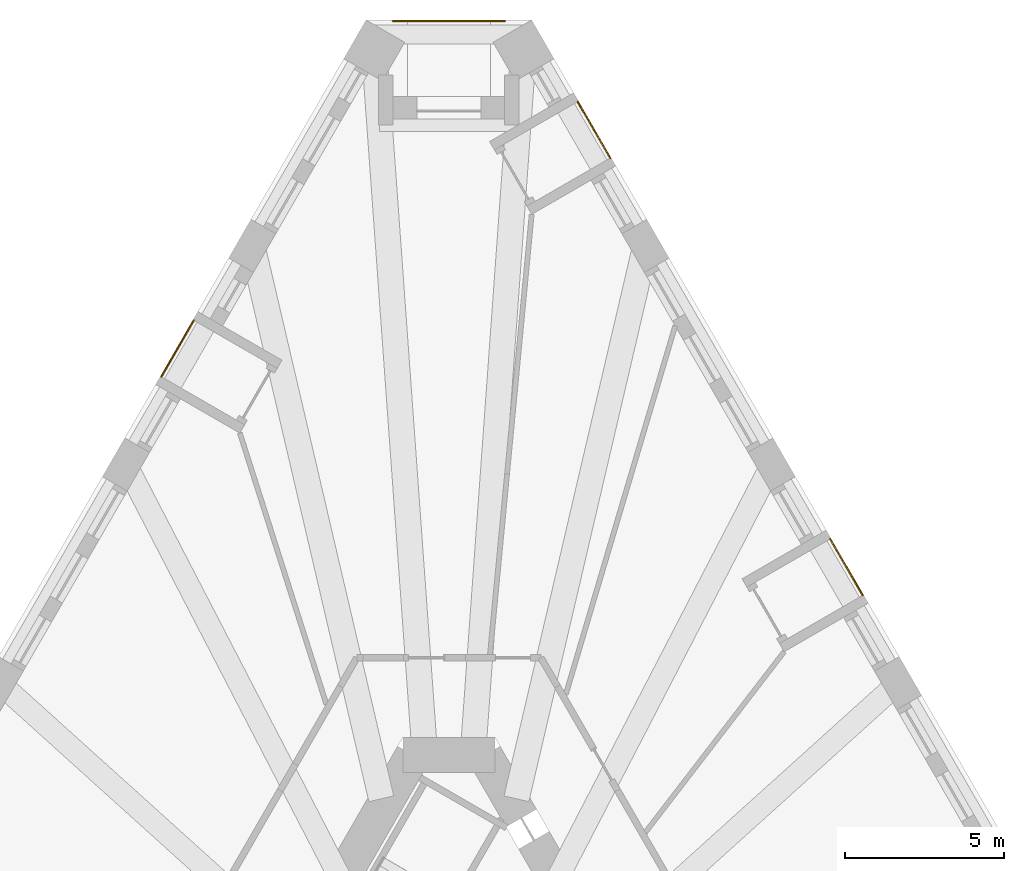
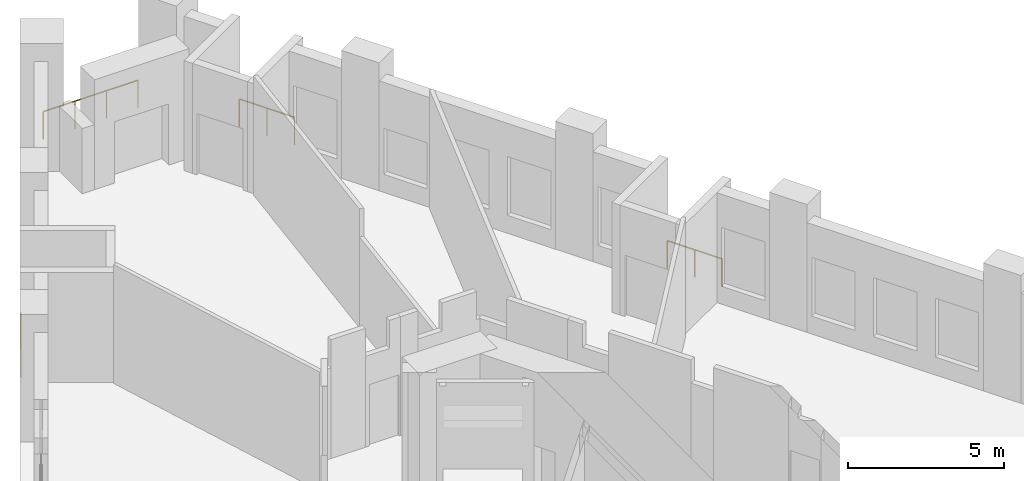
# One storey, part 12 of 12: 4 railings.
"""IFC4 building model written with IfcOpenShell, lengths in metres."""

from ifc_helpers import new_model, si_unit, direction, frame, origin, origin_2d, place, context, subcontext, project, spatial, circle, extrude, material, type_object, element, save


model = new_model("IFC4")

# Units and contexts
model_context = context("Model", 3, precision=1e-05, world=origin(), true_north=direction((0.0, 1.0)))
body_context = subcontext(model_context, "Body", "Model", "MODEL_VIEW")
ifc_project = project(units=[si_unit("LENGTHUNIT", "METRE"), si_unit("AREAUNIT", "SQUARE_METRE"), si_unit("VOLUMEUNIT", "CUBIC_METRE"), si_unit("PLANEANGLEUNIT", "RADIAN"), si_unit("MASSUNIT", "GRAM", prefix="KILO")], contexts=[model_context])

# Site, building, storey
site_placement = place(None, origin())
site = spatial("IfcSite", under=ifc_project, at=site_placement, CompositionType="ELEMENT")
building_placement = place(site_placement, origin())
building = spatial("IfcBuilding", under=site, at=building_placement, Name="Tramontana Tower", CompositionType="ELEMENT")
storey_placement = place(building_placement, frame((0.0, 0.0, 25.0)))
storey = spatial("IfcBuildingStorey", under=building, at=storey_placement, Name="L04", CompositionType="ELEMENT", Elevation=25.0)

# Railings
ifc_material = material(Name="Laminated glass balustrade", Category="glass")
railing_type = type_object("IfcRailingType", Name="GD1 Loggia glass balustrade 1100", PredefinedType="BALUSTRADE", material=ifc_material)
railing_1_placement = place(storey_placement, frame((-8.000732421875, 24.082275390625, 0.0)))
element("IfcRailing", 1, at=railing_1_placement, inside=storey, type_object=railing_type, Name="Loggia balustrade L04 G0S0.4", PredefinedType="BALUSTRADE", context=body_context, shape_type="SweptSolid", body=[
    extrude(circle(Radius=0.02392578125, at=origin_2d()), frame((0.0, 0.0, 1.076171875), z_axis=(-0.499950448838, -0.866054010271, 0.0), x_axis=(0.866054010271, -0.499950448838, 0.0)), (0.0, 0.0, 1.0), 2.039306640625),
    extrude(circle(Radius=0.02099609375, at=origin_2d()), origin(), (0.0, 0.0, 1.0), 1.052001953125),
    extrude(circle(Radius=0.02099609375, at=origin_2d()), frame((-0.509765625, -0.883056640625, 0.0)), (0.0, 0.0, 1.0), 1.052001953125),
    extrude(circle(Radius=0.02099609375, at=origin_2d()), frame((-1.01953125, -1.76611328125, 0.0)), (0.0, 0.0, 1.0), 1.052001953125),
])
railing_2_placement = place(storey_placement, frame((12.979248046875, 15.458984375, 0.0)))
element("IfcRailing", 2, at=railing_2_placement, inside=storey, type_object=railing_type, Name="Loggia balustrade L04 G0S2.13", PredefinedType="BALUSTRADE", context=body_context, shape_type="SweptSolid", body=[
    extrude(circle(Radius=0.02392578125, at=origin_2d()), frame((0.0, 0.0, 1.076171875), z_axis=(-0.499950448838, 0.866054010271, 0.0), x_axis=(-0.866054010271, -0.499950448838, 0.0)), (0.0, 0.0, 1.0), 2.039306640625),
    extrude(circle(Radius=0.02099609375, at=origin_2d()), origin(), (0.0, 0.0, 1.0), 1.052001953125),
    extrude(circle(Radius=0.02099609375, at=origin_2d()), frame((-0.509765625, 0.883056640625, 0.0)), (0.0, 0.0, 1.0), 1.052001953125),
    extrude(circle(Radius=0.02099609375, at=origin_2d()), frame((-1.01953125, 1.76611328125, 0.0)), (0.0, 0.0, 1.0), 1.052001953125),
])
railing_3_placement = place(storey_placement, frame((5.0615234375, 29.17333984375, 0.0)))
element("IfcRailing", 3, at=railing_3_placement, inside=storey, type_object=railing_type, Name="Loggia balustrade L04 G0S2.19", PredefinedType="BALUSTRADE", context=body_context, shape_type="SweptSolid", body=[
    extrude(circle(Radius=0.02392578125, at=origin_2d()), frame((0.0, 0.0, 1.076171875), z_axis=(-0.500040236659, 0.866002171892, 0.0), x_axis=(-0.866002171892, -0.500040236659, 0.0)), (0.0, 0.0, 1.0), 2.039306640625),
    extrude(circle(Radius=0.02099609375, at=origin_2d()), origin(), (0.0, 0.0, 1.0), 1.052001953125),
    extrude(circle(Radius=0.02099609375, at=origin_2d()), frame((-0.509765625, 0.883056640625, 0.0)), (0.0, 0.0, 1.0), 1.052001953125),
    extrude(circle(Radius=0.02099609375, at=origin_2d()), frame((-1.019775390625, 1.76611328125, 0.0)), (0.0, 0.0, 1.0), 1.052001953125),
])
railing_4_placement = place(storey_placement, frame((-1.75, 33.469970703125, 0.0)))
element("IfcRailing", 4, at=railing_4_placement, inside=storey, type_object=railing_type, Name="Corner loggia balustrade L04 K00", PredefinedType="BALUSTRADE", context=body_context, shape_type="SweptSolid", body=[
    extrude(circle(Radius=0.02392578125, at=origin_2d()), frame((0.0, 0.0, 1.076171875), z_axis=(1.0, 0.0, 0.0), x_axis=(0.0, 1.0, 0.0)), (0.0, 0.0, 1.0), 3.5),
    extrude(circle(Radius=0.02099609375, at=origin_2d()), origin(), (0.0, 0.0, 1.0), 1.052001953125),
    extrude(circle(Radius=0.02099609375, at=origin_2d()), frame((1.166748046875, 0.0, 0.0)), (0.0, 0.0, 1.0), 1.052001953125),
    extrude(circle(Radius=0.02099609375, at=origin_2d()), frame((2.333251953125, 0.0, 0.0)), (0.0, 0.0, 1.0), 1.052001953125),
    extrude(circle(Radius=0.02099609375, at=origin_2d()), frame((3.5, 0.0, 0.0)), (0.0, 0.0, 1.0), 1.052001953125),
])

save(model, "model.ifc")
